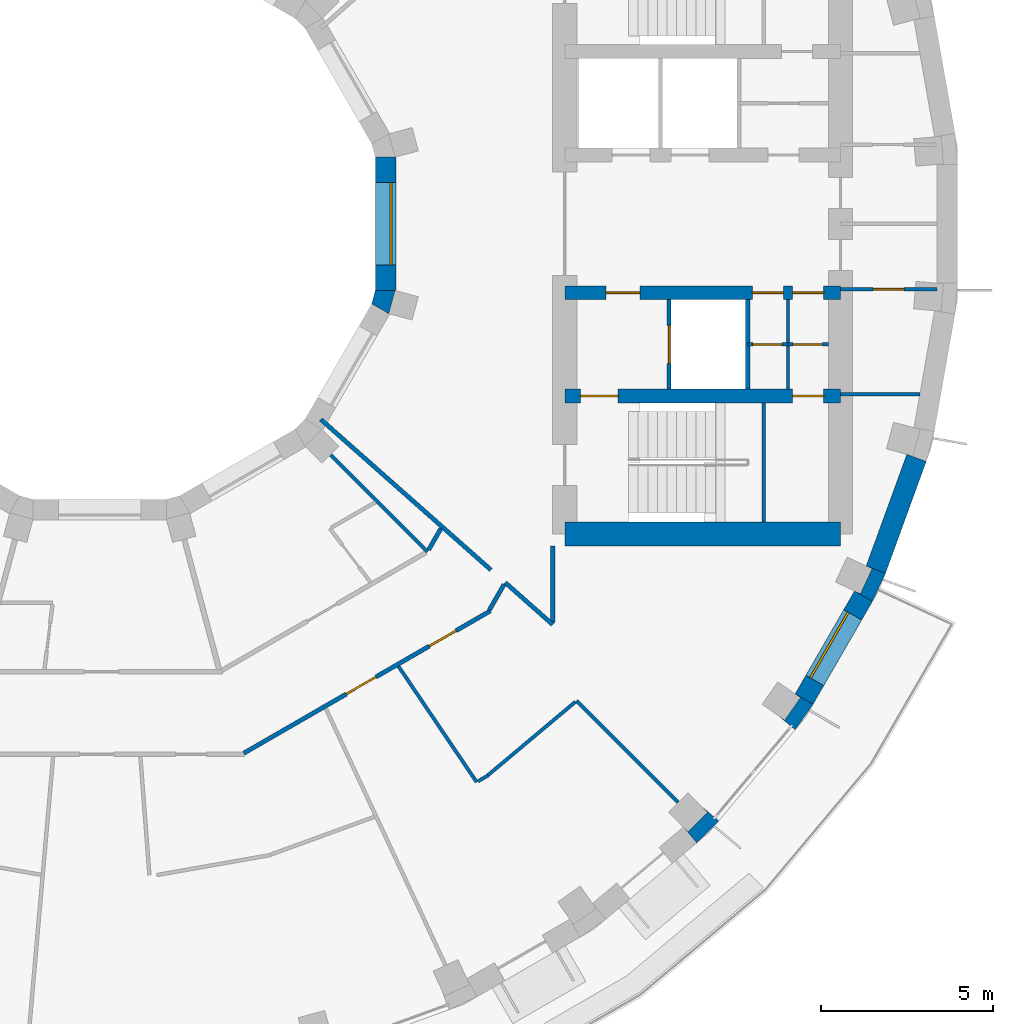
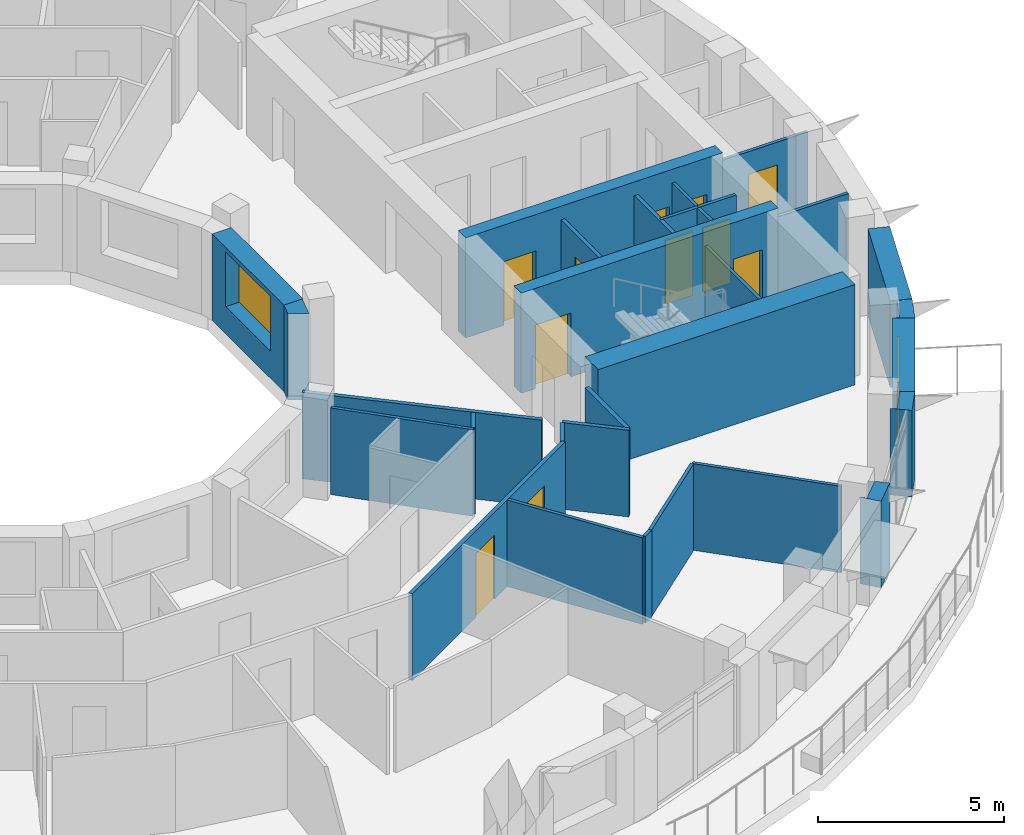
# One storey, part 9 of 15: 29 walls, 11 doors, 2 windows, 13 openings.
"""IFC4 building model written with IfcOpenShell, lengths in metres."""

from ifc_helpers import new_model, si_unit, direction, frame, frame_2d, origin, place, context, subcontext, project, spatial, polyline, rectangle, outline, extrude, material, layer, layer_set, type_object, element, fill, save


model = new_model("IFC4")

# Units and contexts
model_context = context("Model", 3, precision=1e-05, world=origin(), true_north=direction((0.0, 1.0)))
body_context = subcontext(model_context, "Body", "Model", "MODEL_VIEW")
ifc_project = project(units=[si_unit("LENGTHUNIT", "METRE"), si_unit("AREAUNIT", "SQUARE_METRE"), si_unit("VOLUMEUNIT", "CUBIC_METRE"), si_unit("PLANEANGLEUNIT", "RADIAN"), si_unit("MASSUNIT", "GRAM", prefix="KILO")], contexts=[model_context])

# Site, building, storey
site_placement = place(None, origin())
site = spatial("IfcSite", under=ifc_project, at=site_placement, CompositionType="ELEMENT")
building_placement = place(site_placement, origin())
building = spatial("IfcBuilding", under=site, at=building_placement, Name="Saqina Gate Tower", CompositionType="ELEMENT")
storey_placement = place(building_placement, frame((0.0, 0.0, 167.39990234375)))
storey = spatial("IfcBuildingStorey", under=building, at=storey_placement, Name="L47", CompositionType="ELEMENT", Elevation=167.39990234375)

# Walls
ifc_material_1 = material(Name="Brick masonry (buff)", Category="masonry")
wall_type_1 = type_object("IfcWallType", Name="BRICK PIER COPING BUFF", PredefinedType="SOLIDWALL", material=ifc_material_1)
wall_1_placement = place(storey_placement, origin())
element("IfcWall", 1, at=wall_1_placement, inside=storey, type_object=wall_type_1, Name="Pier cap L47 column 32", PredefinedType="SOLIDWALL", context=body_context, shape_type="SweptSolid", body=[
    extrude(outline(polyline([(17.969482421875, -17.329833984375), (17.510009765625, -16.944091796875), (17.642333984375, -17.07666015625), (17.07666015625, -17.642333984375), (16.944091796875, -17.510009765625), (17.329833984375, -17.969482421875), (17.969482421875, -17.329833984375)])), origin(), (0.0, 0.0, 1.0), 2.85009765625),
])
wall_2_placement = place(storey_placement, origin())
element("IfcWall", 2, at=wall_2_placement, inside=storey, type_object=wall_type_1, Name="Pier cap L47 column 33", PredefinedType="SOLIDWALL", context=body_context, shape_type="SweptSolid", body=[
    extrude(outline(polyline([(20.18701171875, -14.687255859375), (20.705810546875, -13.9462890625), (20.186279296875, -13.646240234375), (20.339599609375, -13.753662109375), (19.880859375, -14.408935546875), (19.727294921875, -14.301513671875), (20.18701171875, -14.687255859375)])), origin(), (0.0, 0.0, 1.0), 2.85009765625),
])
wall_3_placement = place(storey_placement, origin())
element("IfcWall", 3, at=wall_3_placement, inside=storey, type_object=wall_type_1, Name="Pier cap L47 column 34", PredefinedType="SOLIDWALL", context=body_context, shape_type="SweptSolid", body=[
    extrude(outline(polyline([(22.81298828125, -10.138916015625), (22.249267578125, -9.93359375), (22.4189453125, -10.0126953125), (22.080810546875, -10.73779296875), (21.9111328125, -10.65869140625), (22.4306640625, -10.958740234375), (22.81298828125, -10.138916015625)])), origin(), (0.0, 0.0, 1.0), 2.85009765625),
])
ifc_material_2 = material(Name="Gypsum board on steel studs", Category="steel")
ifc_layer_1 = layer(ifc_material_2, 0.10009765625)
ifc_layer_set_1 = layer_set([ifc_layer_1], Name="CORE PARTITION")
wall_type_2 = type_object("IfcWallType", Name="CORE PARTITION", PredefinedType="PARTITIONING", material=ifc_layer_set_1)
wall_4_placement = place(storey_placement, frame((21.5, -4.949951171875, 0.0), z_axis=(0.0, 0.0, 1.0), x_axis=(1.0, 0.0, 0.0)))
element("IfcWall", 4, at=wall_4_placement, inside=storey, type_object=wall_type_2, Name="L47-CP-E03", PredefinedType="PARTITIONING", context=body_context, shape_type="SweptSolid", body=[
    extrude(rectangle(XDim=2.306884765625, YDim=0.10009765625, at=frame_2d((1.1533203125, 0.0))), origin(), (0.0, 0.0, 1.0), 2.85009765625),
])

# Wall, opening, door
wall_5_placement = place(storey_placement, frame((21.5, -1.89990234375, 0.0), z_axis=(0.0, 0.0, 1.0), x_axis=(1.0, 0.0, 0.0)))
wall_5 = element("IfcWall", 5, at=wall_5_placement, inside=storey, type_object=wall_type_2, Name="L47-CP-E04", PredefinedType="PARTITIONING", context=body_context, shape_type="SweptSolid", body=[
    extrude(rectangle(XDim=2.804931640625, YDim=0.10009765625, at=frame_2d((1.40234375, 0.0))), origin(), (0.0, 0.0, 1.0), 2.85009765625),
])
opening_1_placement = place(wall_5_placement, frame((0.952392578125, 0.0, 0.0)))
opening_1 = element("IfcOpeningElement", 6, at=opening_1_placement, cuts=wall_5, Name="Opening G13-D97", PredefinedType="OPENING", context=body_context, shape_type="SweptSolid", body=[
    extrude(rectangle(XDim=0.89990234375, YDim=2.10009765625, at=frame_2d((0.449951171875, 1.050048828125))), frame((0.0, 0.06201171875, 0.0), z_axis=(0.0, -1.0, 0.0), x_axis=(1.0, 0.0, 0.0)), (0.0, 0.0, 1.0), 0.1240234375),
])
ifc_material_3 = material(Name="Steel-framed fire door leaf, EI 60", Category="steel")
door_type_1 = type_object("IfcDoorType", Name="SERVICE ROOM DOOR 900", OperationType="SINGLE_SWING_LEFT", PredefinedType="DOOR", material=ifc_material_3)
door_1_placement = place(opening_1_placement, frame((0.89990234375, 0.0, 0.0), z_axis=(0.0, 0.0, 1.0), x_axis=(-1.0, 0.0, 0.0)))
door_1 = element("IfcDoor", 7, at=door_1_placement, inside=storey, type_object=door_type_1, Name="L47-CD-E07", OperationType="SINGLE_SWING_RIGHT", OverallHeight=2.10009765625, OverallWidth=0.89990234375, PredefinedType="DOOR", context=body_context, shape_type="SweptSolid", body=[
    extrude(rectangle(XDim=0.89990234375, YDim=2.10009765625, at=frame_2d((0.449951171875, 1.050048828125))), frame((0.0, 0.02490234375, 0.0), z_axis=(0.0, -1.0, 0.0), x_axis=(1.0, 0.0, 0.0)), (0.0, 0.0, 1.0), 0.050048828125),
])
fill(opening_1, door_1)

# Wall
wall_6_placement = place(storey_placement, frame((19.97998046875, -4.800048828125, 0.0), z_axis=(0.0, 0.0, 1.0), x_axis=(0.0, 1.0, 0.0)))
element("IfcWall", 8, at=wall_6_placement, inside=storey, type_object=wall_type_2, Name="L47-CP-E10", PredefinedType="PARTITIONING", context=body_context, shape_type="SweptSolid", body=[
    extrude(rectangle(XDim=2.60009765625, YDim=0.10009765625, at=frame_2d((1.300048828125, 0.0))), origin(), (0.0, 0.0, 1.0), 2.85009765625),
])

# Wall, opening, door
wall_7_placement = place(storey_placement, frame((18.81005859375, -3.5, 0.0), z_axis=(0.0, 0.0, 1.0), x_axis=(1.0, 0.0, 0.0)))
wall_7 = element("IfcWall", 9, at=wall_7_placement, inside=storey, type_object=wall_type_2, Name="L47-CP-E12", PredefinedType="PARTITIONING", context=body_context, shape_type="SweptSolid", body=[
    extrude(rectangle(XDim=1.169921875, YDim=0.10009765625, at=frame_2d((0.5849609375, 0.0))), origin(), (0.0, 0.0, 1.0), 2.85009765625),
])
opening_2_placement = place(wall_7_placement, frame((0.14990234375, 0.0, 0.0)))
opening_2 = element("IfcOpeningElement", 10, at=opening_2_placement, cuts=wall_7, Name="Opening G13-D101", PredefinedType="OPENING", context=body_context, shape_type="SweptSolid", body=[
    extrude(rectangle(XDim=0.85009765625, YDim=2.10009765625, at=frame_2d((0.425048828125, 1.050048828125))), frame((0.0, 0.06201171875, 0.0), z_axis=(0.0, -1.0, 0.0), x_axis=(1.0, 0.0, 0.0)), (0.0, 0.0, 1.0), 0.1240234375),
])
ifc_material_4 = material(Name="Steel-framed fire door leaf, EI 60", Category="steel")
door_type_2 = type_object("IfcDoorType", Name="SERVICE ROOM DOOR 850", OperationType="SINGLE_SWING_LEFT", PredefinedType="DOOR", material=ifc_material_4)
door_2_placement = place(opening_2_placement, frame((0.85009765625, 0.0, 0.0), z_axis=(0.0, 0.0, 1.0), x_axis=(-1.0, 0.0, 0.0)))
door_2 = element("IfcDoor", 11, at=door_2_placement, inside=storey, type_object=door_type_2, Name="L47-CD-E11", OperationType="SINGLE_SWING_RIGHT", OverallHeight=2.10009765625, OverallWidth=0.85009765625, PredefinedType="DOOR", context=body_context, shape_type="SweptSolid", body=[
    extrude(rectangle(XDim=0.85009765625, YDim=2.10009765625, at=frame_2d((0.425048828125, 1.050048828125))), frame((0.0, 0.02490234375, 0.0), z_axis=(0.0, -1.0, 0.0), x_axis=(1.0, 0.0, 0.0)), (0.0, 0.0, 1.0), 0.050048828125),
])
fill(opening_2, door_2)

wall_8_placement = place(storey_placement, frame((19.97998046875, -3.5, 0.0), z_axis=(0.0, 0.0, 1.0), x_axis=(1.0, 0.0, 0.0)))
wall_8 = element("IfcWall", 12, at=wall_8_placement, inside=storey, type_object=wall_type_2, Name="L47-CP-E13", PredefinedType="PARTITIONING", context=body_context, shape_type="SweptSolid", body=[
    extrude(rectangle(XDim=1.169921875, YDim=0.10009765625, at=frame_2d((0.5849609375, 0.0))), origin(), (0.0, 0.0, 1.0), 2.85009765625),
])
opening_3_placement = place(wall_8_placement, frame((0.14990234375, 0.0, 0.0)))
opening_3 = element("IfcOpeningElement", 13, at=opening_3_placement, cuts=wall_8, Name="Opening G13-D102", PredefinedType="OPENING", context=body_context, shape_type="SweptSolid", body=[
    extrude(rectangle(XDim=0.85009765625, YDim=2.10009765625, at=frame_2d((0.425048828125, 1.050048828125))), frame((0.0, 0.06201171875, 0.0), z_axis=(0.0, -1.0, 0.0), x_axis=(1.0, 0.0, 0.0)), (0.0, 0.0, 1.0), 0.1240234375),
])
door_3_placement = place(opening_3_placement, frame((0.85009765625, 0.0, 0.0), z_axis=(0.0, 0.0, 1.0), x_axis=(-1.0, 0.0, 0.0)))
door_3 = element("IfcDoor", 14, at=door_3_placement, inside=storey, type_object=door_type_2, Name="L47-CD-E12", OperationType="SINGLE_SWING_LEFT", OverallHeight=2.10009765625, OverallWidth=0.85009765625, PredefinedType="DOOR", context=body_context, shape_type="SweptSolid", body=[
    extrude(rectangle(XDim=0.85009765625, YDim=2.10009765625, at=frame_2d((0.425048828125, 1.050048828125))), frame((0.0, 0.02490234375, 0.0), z_axis=(0.0, -1.0, 0.0), x_axis=(1.0, 0.0, 0.0)), (0.0, 0.0, 1.0), 0.050048828125),
])
fill(opening_3, door_3)

# Wall, opening, window
ifc_material_5 = material(Name="Brick masonry (buff)", Category="masonry")
ifc_layer_2 = layer(ifc_material_5, 0.60009765625)
ifc_layer_set_2 = layer_set([ifc_layer_2], Name="FW-BRICK-BUFF")
wall_type_3 = type_object("IfcWallType", Name="FW-BRICK-BUFF", PredefinedType="SOLIDWALL", material=ifc_layer_set_2)
wall_9_placement = place(storey_placement, frame((20.446044921875, -13.796142578125, 0.0), z_axis=(0.0, 0.0, 1.0), x_axis=(0.499998129301, 0.86602648383, 0.0)))
wall_9 = element("IfcWall", 15, at=wall_9_placement, inside=storey, type_object=wall_type_3, Name="Facade wall L47 facet 33", PredefinedType="SOLIDWALL", context=body_context, shape_type="SweptSolid", body=[
    extrude(rectangle(XDim=3.44970703125, YDim=0.60009765625, at=frame_2d((1.724853515625, 0.0))), origin(), (0.0, 0.0, 1.0), 2.85009765625),
])
opening_4_placement = place(wall_9_placement, frame((0.625, 0.0, 0.89990234375)))
opening_4 = element("IfcOpeningElement", 16, at=opening_4_placement, cuts=wall_9, Name="Opening G13-W22", PredefinedType="OPENING", context=body_context, shape_type="SweptSolid", body=[
    extrude(rectangle(XDim=2.199951171875, YDim=1.800048828125, at=frame_2d((1.10009765625, 0.89990234375))), frame((0.0, 0.31201171875, 0.0), z_axis=(0.0, -1.0, 0.0), x_axis=(1.0, 0.0, 0.0)), (0.0, 0.0, 1.0), 0.6240234375),
])
ifc_material_6 = material(Name="Aluminium glazing", Category="aluminium")
window_type_1 = type_object("IfcWindowType", Name="WN-C", PartitioningType="SINGLE_PANEL", PredefinedType="WINDOW", material=ifc_material_6)
window_1_placement = place(opening_4_placement, origin())
window_1 = element("IfcWindow", 17, at=window_1_placement, inside=storey, type_object=window_type_1, Name="Window L47 facet 33", OverallHeight=1.800048828125, OverallWidth=2.199951171875, PartitioningType="SINGLE_PANEL", PredefinedType="WINDOW", context=body_context, shape_type="SweptSolid", body=[
    extrude(rectangle(XDim=2.199951171875, YDim=1.800048828125, at=frame_2d((1.10009765625, 0.89990234375))), frame((0.0, 0.179931640625, 0.0), z_axis=(0.0, -1.0, 0.0), x_axis=(1.0, 0.0, 0.0)), (0.0, 0.0, 1.0), 0.06005859375),
])
fill(opening_4, window_1)

# Wall
ifc_material_7 = material(Name="Glazed ceramic tile", Category="ceramic")
ifc_layer_3 = layer(ifc_material_7, 0.60009765625)
ifc_layer_set_3 = layer_set([ifc_layer_3], Name="FW-TILE")
wall_type_4 = type_object("IfcWallType", Name="FW-TILE", PredefinedType="SOLIDWALL", material=ifc_layer_set_3)
wall_10_placement = place(storey_placement, frame((22.531005859375, -10.0361328125, 0.0), z_axis=(0.0, 0.0, 1.0), x_axis=(0.342032843455, 0.93968799822, 0.0)))
element("IfcWall", 18, at=wall_10_placement, inside=storey, type_object=wall_type_4, Name="Facade wall L47 facet 34", PredefinedType="SOLIDWALL", context=body_context, shape_type="SweptSolid", body=[
    extrude(rectangle(XDim=3.44970703125, YDim=0.60009765625, at=frame_2d((1.724853515625, 0.0))), origin(), (0.0, 0.0, 1.0), 2.85009765625),
])

# Wall, opening, window
ifc_material_8 = material(Name="Glazed ceramic tile", Category="ceramic")
ifc_layer_4 = layer(ifc_material_8, 0.60009765625)
ifc_layer_set_4 = layer_set([ifc_layer_4], Name="IW-TILE")
wall_type_5 = type_object("IfcWallType", Name="IW-TILE", PredefinedType="SOLIDWALL", material=ifc_layer_set_4)
wall_11_placement = place(storey_placement, frame((8.300048828125, -1.934814453125, 0.0), z_axis=(0.0, 0.0, 1.0), x_axis=(0.0, 1.0, 0.0)))
wall_11 = element("IfcWall", 19, at=wall_11_placement, inside=storey, type_object=wall_type_5, Name="Well wall L47 facet 12", PredefinedType="SOLIDWALL", context=body_context, shape_type="SweptSolid", body=[
    extrude(rectangle(XDim=3.86962890625, YDim=0.60009765625, at=frame_2d((1.934814453125, 0.0))), origin(), (0.0, 0.0, 1.0), 2.85009765625),
])
opening_5_placement = place(wall_11_placement, frame((0.73486328125, 0.0, 0.89990234375)))
opening_5 = element("IfcOpeningElement", 20, at=opening_5_placement, cuts=wall_11, Name="Opening G13-W34", PredefinedType="OPENING", context=body_context, shape_type="SweptSolid", body=[
    extrude(rectangle(XDim=2.39990234375, YDim=1.800048828125, at=frame_2d((1.199951171875, 0.89990234375))), frame((0.0, 0.31201171875, 0.0), z_axis=(0.0, -1.0, 0.0), x_axis=(1.0, 0.0, 0.0)), (0.0, 0.0, 1.0), 0.6240234375),
])
ifc_material_9 = material(Name="Aluminium glazing", Category="aluminium")
window_type_2 = type_object("IfcWindowType", Name="WN-W", PartitioningType="SINGLE_PANEL", PredefinedType="WINDOW", material=ifc_material_9)
window_2_placement = place(opening_5_placement, origin())
window_2 = element("IfcWindow", 21, at=window_2_placement, inside=storey, type_object=window_type_2, Name="Well window L47 facet 12", OverallHeight=1.800048828125, OverallWidth=2.39990234375, PartitioningType="SINGLE_PANEL", PredefinedType="WINDOW", context=body_context, shape_type="SweptSolid", body=[
    extrude(rectangle(XDim=2.39990234375, YDim=1.800048828125, at=frame_2d((1.199951171875, 0.89990234375))), frame((0.0, -0.119873046875, 0.0), z_axis=(0.0, -1.0, 0.0), x_axis=(1.0, 0.0, 0.0)), (0.0, 0.0, 1.0), 0.06005859375),
])
fill(opening_5, window_2)

# Walls
ifc_material_10 = material(Name="Gypsum board on steel studs, 100 mm", Category="steel")
ifc_layer_5 = layer(ifc_material_10, 0.10009765625)
ifc_layer_set_5 = layer_set([ifc_layer_5], Name="PARTITION 100")
wall_type_6 = type_object("IfcWallType", Name="PARTITION 100", PredefinedType="PARTITIONING", material=ifc_layer_set_5)
wall_12_placement = place(storey_placement, frame((8.674072265625, -12.8466796875, 0.0), z_axis=(0.0, 0.0, 1.0), x_axis=(0.559460436722, -0.828857056279, 0.0)))
element("IfcWall", 22, at=wall_12_placement, inside=storey, type_object=wall_type_6, Name="PARTITION PW3-12", PredefinedType="PARTITIONING", context=body_context, shape_type="SweptSolid", body=[
    extrude(rectangle(XDim=4.0517578125, YDim=0.10009765625, at=frame_2d((2.02587890625, 0.0))), origin(), (0.0, 0.0, 1.0), 2.85009765625),
])
wall_13_placement = place(storey_placement, frame((6.7119140625, -6.7119140625, 0.0), z_axis=(0.0, 0.0, 1.0), x_axis=(0.707106781187, -0.707106781187, 0.0)))
element("IfcWall", 23, at=wall_13_placement, inside=storey, type_object=wall_type_6, Name="PARTITION PW3-19", PredefinedType="PARTITIONING", context=body_context, shape_type="SweptSolid", body=[
    extrude(rectangle(XDim=3.967041015625, YDim=0.10009765625, at=frame_2d((1.9833984375, 0.0))), origin(), (0.0, 0.0, 1.0), 2.85009765625),
])
wall_14_placement = place(storey_placement, frame((13.844970703125, -13.844970703125, 0.0), z_axis=(0.0, 0.0, 1.0), x_axis=(0.707106781187, -0.707106781187, 0.0)))
element("IfcWall", 24, at=wall_14_placement, inside=storey, type_object=wall_type_6, Name="PARTITION PW3-20", PredefinedType="PARTITIONING", context=body_context, shape_type="SweptSolid", body=[
    extrude(rectangle(XDim=4.16015625, YDim=0.10009765625, at=frame_2d((2.080078125, 0.0))), origin(), (0.0, 0.0, 1.0), 2.85009765625),
])
wall_15_placement = place(storey_placement, frame((10.984375, -16.179931640625, 0.0), z_axis=(0.0, 0.0, 1.0), x_axis=(0.865942374699, 0.500143783026, 0.0)))
element("IfcWall", 25, at=wall_15_placement, inside=storey, type_object=wall_type_6, Name="PARTITION PW3-42", PredefinedType="PARTITIONING", context=body_context, shape_type="SweptSolid", body=[
    extrude(rectangle(XDim=0.33447265625, YDim=0.10009765625, at=frame_2d((0.167236328125, 0.0))), origin(), (0.0, 0.0, 1.0), 2.85009765625),
])
wall_16_placement = place(storey_placement, frame((11.2685546875, -16.00634765625, 0.0), z_axis=(0.0, 0.0, 1.0), x_axis=(0.766157600424, 0.642652729951, 0.0)))
element("IfcWall", 26, at=wall_16_placement, inside=storey, type_object=wall_type_6, Name="PARTITION PW3-49", PredefinedType="PARTITIONING", context=body_context, shape_type="SweptSolid", body=[
    extrude(rectangle(XDim=3.31298828125, YDim=0.10009765625, at=frame_2d((1.656494140625, 0.0))), origin(), (0.0, 0.0, 1.0), 2.85009765625),
])
ifc_material_11 = material(Name="Gypsum board on steel studs, 125 mm, fire rated", Category="steel")
ifc_layer_6 = layer(ifc_material_11, 0.125)
ifc_layer_set_6 = layer_set([ifc_layer_6], Name="PARTITION EI 30 125")
wall_type_7 = type_object("IfcWallType", Name="PARTITION EI 30 125", PredefinedType="PARTITIONING", material=ifc_layer_set_6)
wall_17_placement = place(storey_placement, frame((6.419921875, -5.679931640625, 0.0), z_axis=(0.0, 0.0, 1.0), x_axis=(0.748956953748, -0.662618654607, 0.0)))
element("IfcWall", 27, at=wall_17_placement, inside=storey, type_object=wall_type_7, Name="PARTITION PW1-08", PredefinedType="PARTITIONING", context=body_context, shape_type="SweptSolid", body=[
    extrude(rectangle(XDim=6.588623046875, YDim=0.125, at=frame_2d((3.29443359375, 0.0))), origin(), (0.0, 0.0, 1.0), 2.85009765625),
])
wall_18_placement = place(storey_placement, frame((11.77001953125, -10.4130859375, 0.0), z_axis=(0.0, 0.0, 1.0), x_axis=(0.748920683101, -0.662659649008, 0.0)))
element("IfcWall", 28, at=wall_18_placement, inside=storey, type_object=wall_type_7, Name="PARTITION PW1-09", PredefinedType="PARTITIONING", context=body_context, shape_type="SweptSolid", body=[
    extrude(rectangle(XDim=1.842529296875, YDim=0.125, at=frame_2d((0.92138671875, 0.0))), origin(), (0.0, 0.0, 1.0), 2.85009765625),
])

# Wall, openings, doors
wall_19_placement = place(storey_placement, frame((4.18017578125, -15.36865234375, 0.0), z_axis=(0.0, 0.0, 1.0), x_axis=(0.86608029966, 0.499904905498, 0.0)))
wall_19 = element("IfcWall", 29, at=wall_19_placement, inside=storey, type_object=wall_type_7, Name="PARTITION PW1-24", PredefinedType="PARTITIONING", context=body_context, shape_type="SweptSolid", body=[
    extrude(rectangle(XDim=8.2626953125, YDim=0.125, at=frame_2d((4.13134765625, 0.0))), origin(), (0.0, 0.0, 1.0), 2.85009765625),
])
opening_6_placement = place(wall_19_placement, frame((3.432373046875, 0.0, 0.0)))
opening_6 = element("IfcOpeningElement", 30, at=opening_6_placement, cuts=wall_19, Name="Opening G13-D37", PredefinedType="OPENING", context=body_context, shape_type="SweptSolid", body=[
    extrude(rectangle(XDim=1.0, YDim=2.10009765625, at=frame_2d((0.5, 1.050048828125))), frame((0.0, 0.074462890625, 0.0), z_axis=(0.0, -1.0, 0.0), x_axis=(1.0, 0.0, 0.0)), (0.0, 0.0, 1.0), 0.14892578125),
])
opening_7_placement = place(wall_19_placement, frame((6.218505859375, 0.0, 0.0)))
opening_7 = element("IfcOpeningElement", 31, at=opening_7_placement, cuts=wall_19, Name="Opening G13-D40", PredefinedType="OPENING", context=body_context, shape_type="SweptSolid", body=[
    extrude(rectangle(XDim=0.89990234375, YDim=2.10009765625, at=frame_2d((0.449951171875, 1.050048828125))), frame((0.0, 0.074462890625, 0.0), z_axis=(0.0, -1.0, 0.0), x_axis=(1.0, 0.0, 0.0)), (0.0, 0.0, 1.0), 0.14892578125),
])
ifc_material_12 = material(Name="Fire door leaf EI 30, 1000 mm")
door_type_3 = type_object("IfcDoorType", Name="DOOR 1000 EI 30", OperationType="SINGLE_SWING_LEFT", PredefinedType="DOOR", material=ifc_material_12)
door_4_placement = place(opening_6_placement, frame((1.0, 0.0, 0.0), z_axis=(0.0, 0.0, 1.0), x_axis=(-1.0, 0.0, 0.0)))
door_4 = element("IfcDoor", 32, at=door_4_placement, inside=storey, type_object=door_type_3, Name="DOOR G13-D37", OperationType="SINGLE_SWING_RIGHT", OverallHeight=2.10009765625, OverallWidth=1.0, PredefinedType="DOOR", context=body_context, shape_type="SweptSolid", body=[
    extrude(rectangle(XDim=1.0, YDim=2.10009765625, at=frame_2d((0.5, 1.050048828125))), frame((0.0, 0.02490234375, 0.0), z_axis=(0.0, -1.0, 0.0), x_axis=(1.0, 0.0, 0.0)), (0.0, 0.0, 1.0), 0.050048828125),
])
fill(opening_6, door_4)
ifc_material_13 = material(Name="Fire door leaf EI 30, 900 mm")
door_type_4 = type_object("IfcDoorType", Name="DOOR 900 EI 30", OperationType="SINGLE_SWING_LEFT", PredefinedType="DOOR", material=ifc_material_13)
door_5_placement = place(opening_7_placement, frame((0.89990234375, 0.0, 0.0), z_axis=(0.0, 0.0, 1.0), x_axis=(-1.0, 0.0, 0.0)))
door_5 = element("IfcDoor", 33, at=door_5_placement, inside=storey, type_object=door_type_4, Name="DOOR G13-D40", OperationType="SINGLE_SWING_LEFT", OverallHeight=2.10009765625, OverallWidth=0.89990234375, PredefinedType="DOOR", context=body_context, shape_type="SweptSolid", body=[
    extrude(rectangle(XDim=0.89990234375, YDim=2.10009765625, at=frame_2d((0.449951171875, 1.050048828125))), frame((0.0, 0.02490234375, 0.0), z_axis=(0.0, -1.0, 0.0), x_axis=(1.0, 0.0, 0.0)), (0.0, 0.0, 1.0), 0.050048828125),
])
fill(opening_7, door_5)

# Walls
wall_20_placement = place(storey_placement, frame((9.54833984375, -9.462890625, 0.0), z_axis=(0.0, 0.0, 1.0), x_axis=(0.499821239653, 0.866128586522, 0.0)))
element("IfcWall", 34, at=wall_20_placement, inside=storey, type_object=wall_type_7, Name="PARTITION PW1-34", PredefinedType="PARTITIONING", context=body_context, shape_type="SweptSolid", body=[
    extrude(rectangle(XDim=0.713134765625, YDim=0.125, at=frame_2d((0.3564453125, 0.0))), origin(), (0.0, 0.0, 1.0), 2.85009765625),
])
wall_21_placement = place(storey_placement, frame((11.30517578125, -11.219970703125, 0.0), z_axis=(0.0, 0.0, 1.0), x_axis=(0.499162724547, 0.86650826564, 0.0)))
element("IfcWall", 35, at=wall_21_placement, inside=storey, type_object=wall_type_7, Name="PARTITION PW1-37", PredefinedType="PARTITIONING", context=body_context, shape_type="SweptSolid", body=[
    extrude(rectangle(XDim=0.86865234375, YDim=0.125, at=frame_2d((0.434326171875, 0.0))), origin(), (0.0, 0.0, 1.0), 2.85009765625),
])
wall_22_placement = place(storey_placement, frame((13.14990234375, -11.571533203125, 0.0), z_axis=(0.0, 0.0, 1.0), x_axis=(0.0, 1.0, 0.0)))
element("IfcWall", 36, at=wall_22_placement, inside=storey, type_object=wall_type_7, Name="PARTITION PW1-38", PredefinedType="PARTITIONING", context=body_context, shape_type="SweptSolid", body=[
    extrude(rectangle(XDim=2.221435546875, YDim=0.125, at=frame_2d((1.11083984375, 0.0))), origin(), (0.0, 0.0, 1.0), 2.85009765625),
])

# Wall, opening, door
ifc_material_14 = material(Name="Autoclaved aerated concrete block", Category="concrete")
ifc_layer_7 = layer(ifc_material_14, 0.1201171875)
ifc_layer_set_7 = layer_set([ifc_layer_7], Name="SHAFT PARTITION")
wall_type_8 = type_object("IfcWallType", Name="SHAFT PARTITION", PredefinedType="PARTITIONING", material=ifc_layer_set_7)
wall_23_placement = place(storey_placement, frame((16.530029296875, -4.800048828125, 0.0), z_axis=(0.0, 0.0, 1.0), x_axis=(0.0, 1.0, 0.0)))
wall_23 = element("IfcWall", 37, at=wall_23_placement, inside=storey, type_object=wall_type_8, Name="L47-CP-E08", PredefinedType="PARTITIONING", context=body_context, shape_type="SweptSolid", body=[
    extrude(rectangle(XDim=2.60009765625, YDim=0.1201171875, at=frame_2d((1.300048828125, 0.0))), origin(), (0.0, 0.0, 1.0), 2.85009765625),
])
opening_8_placement = place(wall_23_placement, frame((0.75, 0.0, 0.0)))
opening_8 = element("IfcOpeningElement", 38, at=opening_8_placement, cuts=wall_23, Name="Opening G13-LD3", PredefinedType="OPENING", context=body_context, shape_type="SweptSolid", body=[
    extrude(rectangle(XDim=1.10009765625, YDim=2.10009765625, at=frame_2d((0.550048828125, 1.050048828125))), frame((0.0, 0.072021484375, 0.0), z_axis=(0.0, -1.0, 0.0), x_axis=(1.0, 0.0, 0.0)), (0.0, 0.0, 1.0), 0.14404296875),
])
ifc_material_15 = material(Name="Stainless steel", Category="steel")
door_type_5 = type_object("IfcDoorType", Name="LANDING DOOR", OperationType="DOUBLE_DOOR_SLIDING", PredefinedType="DOOR", material=ifc_material_15)
door_6_placement = place(opening_8_placement, origin())
door_6 = element("IfcDoor", 39, at=door_6_placement, inside=storey, type_object=door_type_5, Name="LANDING DOOR FF1", OperationType="DOUBLE_DOOR_SLIDING", OverallHeight=2.10009765625, OverallWidth=1.10009765625, PredefinedType="DOOR", context=body_context, shape_type="SweptSolid", body=[
    extrude(rectangle(XDim=1.10009765625, YDim=2.10009765625, at=frame_2d((0.550048828125, 1.050048828125))), frame((0.0, 0.02490234375, 0.0), z_axis=(0.0, -1.0, 0.0), x_axis=(1.0, 0.0, 0.0)), (0.0, 0.0, 1.0), 0.050048828125),
])
fill(opening_8, door_6)

# Walls
wall_24_placement = place(storey_placement, frame((18.81005859375, -4.800048828125, 0.0), z_axis=(0.0, 0.0, 1.0), x_axis=(0.0, 1.0, 0.0)))
element("IfcWall", 40, at=wall_24_placement, inside=storey, type_object=wall_type_8, Name="L47-CP-E09", PredefinedType="PARTITIONING", context=body_context, shape_type="SweptSolid", body=[
    extrude(rectangle(XDim=2.60009765625, YDim=0.1201171875, at=frame_2d((1.300048828125, 0.0))), origin(), (0.0, 0.0, 1.0), 2.85009765625),
])
ifc_material_16 = material(Name="Autoclaved aerated concrete block", Category="concrete")
ifc_layer_8 = layer(ifc_material_16, 0.10009765625)
ifc_layer_set_8 = layer_set([ifc_layer_8], Name="STAIR ENCLOSURE WALL")
wall_type_9 = type_object("IfcWallType", Name="STAIR ENCLOSURE WALL", PredefinedType="PARTITIONING", material=ifc_layer_set_8)
wall_25_placement = place(storey_placement, frame((19.27001953125, -8.64990234375, 0.0), z_axis=(0.0, 0.0, 1.0), x_axis=(0.0, 1.0, 0.0)))
element("IfcWall", 41, at=wall_25_placement, inside=storey, type_object=wall_type_9, Name="L47-CP-E15", PredefinedType="PARTITIONING", context=body_context, shape_type="SweptSolid", body=[
    extrude(rectangle(XDim=3.449951171875, YDim=0.10009765625, at=frame_2d((1.72509765625, 0.0))), origin(), (0.0, 0.0, 1.0), 2.85009765625),
])

# Wall, openings, doors
ifc_material_17 = material(Name="Concrete C60/75", Category="concrete")
ifc_layer_9 = layer(ifc_material_17, 0.39990234375)
ifc_layer_set_9 = layer_set([ifc_layer_9], Name="Concrete C60/75")
wall_type_10 = type_object("IfcWallType", Name="STR-CORE WALL-C-I", PredefinedType="SHEAR", material=ifc_layer_set_9)
wall_26_placement = place(storey_placement, frame((13.5, -5.0, 0.0), z_axis=(0.0, 0.0, 1.0), x_axis=(1.0, 0.0, 0.0)))
wall_26 = element("IfcWall", 42, at=wall_26_placement, inside=storey, type_object=wall_type_10, Name="CORE WALL L47 E-X2", PredefinedType="SHEAR", context=body_context, shape_type="SweptSolid", body=[
    extrude(rectangle(XDim=8.0, YDim=0.39990234375, at=frame_2d((4.0, 0.0))), origin(), (0.0, 0.0, 1.0), 3.300048828125),
])
opening_9_placement = place(wall_26_placement, frame((6.614990234375, 0.0, 0.0)))
opening_9 = element("IfcOpeningElement", 43, at=opening_9_placement, cuts=wall_26, Name="Opening G13-D127", PredefinedType="OPENING", context=body_context, shape_type="SweptSolid", body=[
    extrude(rectangle(XDim=0.89990234375, YDim=2.10009765625, at=frame_2d((0.449951171875, 1.050048828125))), frame((0.0, 0.2119140625, 0.0), z_axis=(0.0, -1.0, 0.0), x_axis=(1.0, 0.0, 0.0)), (0.0, 0.0, 1.0), 0.423828125),
])
opening_10_placement = place(wall_26_placement, frame((0.449951171875, 0.0, 0.0)))
opening_10 = element("IfcOpeningElement", 44, at=opening_10_placement, cuts=wall_26, Name="Opening G13-D103", PredefinedType="OPENING", context=body_context, shape_type="SweptSolid", body=[
    extrude(rectangle(XDim=1.10009765625, YDim=2.10009765625, at=frame_2d((0.550048828125, 1.050048828125))), frame((0.0, 0.2119140625, 0.0), z_axis=(0.0, -1.0, 0.0), x_axis=(1.0, 0.0, 0.0)), (0.0, 0.0, 1.0), 0.423828125),
])
ifc_material_18 = material(Name="Steel", Category="steel")
door_type_6 = type_object("IfcDoorType", Name="FIRE LOBBY DOOR EI 60 WIDE", OperationType="SINGLE_SWING_LEFT", PredefinedType="DOOR", material=ifc_material_18)
door_7_placement = place(opening_10_placement, frame((1.10009765625, 0.0, 0.0), z_axis=(0.0, 0.0, 1.0), x_axis=(-1.0, 0.0, 0.0)))
door_7 = element("IfcDoor", 45, at=door_7_placement, inside=storey, type_object=door_type_6, Name="L47-CD-E14", OperationType="SINGLE_SWING_RIGHT", OverallHeight=2.10009765625, OverallWidth=1.10009765625, PredefinedType="DOOR", context=body_context, shape_type="SweptSolid", body=[
    extrude(rectangle(XDim=1.10009765625, YDim=2.10009765625, at=frame_2d((0.550048828125, 1.050048828125))), frame((0.0, 0.02490234375, 0.0), z_axis=(0.0, -1.0, 0.0), x_axis=(1.0, 0.0, 0.0)), (0.0, 0.0, 1.0), 0.050048828125),
])
fill(opening_10, door_7)
door_8_placement = place(opening_9_placement, frame((0.89990234375, 0.0, 0.0), z_axis=(0.0, 0.0, 1.0), x_axis=(-1.0, 0.0, 0.0)))
door_8 = element("IfcDoor", 46, at=door_8_placement, inside=storey, type_object=door_type_1, Name="L47-CD-E13", OperationType="SINGLE_SWING_LEFT", OverallHeight=2.10009765625, OverallWidth=0.89990234375, PredefinedType="DOOR", context=body_context, shape_type="SweptSolid", body=[
    extrude(rectangle(XDim=0.89990234375, YDim=2.10009765625, at=frame_2d((0.449951171875, 1.050048828125))), frame((0.0, 0.02490234375, 0.0), z_axis=(0.0, -1.0, 0.0), x_axis=(1.0, 0.0, 0.0)), (0.0, 0.0, 1.0), 0.050048828125),
])
fill(opening_9, door_8)

wall_27_placement = place(storey_placement, frame((13.5, -2.0, 0.0), z_axis=(0.0, 0.0, 1.0), x_axis=(1.0, 0.0, 0.0)))
wall_27 = element("IfcWall", 47, at=wall_27_placement, inside=storey, type_object=wall_type_10, Name="CORE WALL L47 E-L2", PredefinedType="SHEAR", context=body_context, shape_type="SweptSolid", body=[
    extrude(rectangle(XDim=8.0, YDim=0.39990234375, at=frame_2d((4.0, 0.0))), origin(), (0.0, 0.0, 1.0), 3.300048828125),
])
opening_11_placement = place(wall_27_placement, frame((1.18994140625, 0.0, 0.0)))
opening_11 = element("IfcOpeningElement", 48, at=opening_11_placement, cuts=wall_27, Name="Opening G13-D92", PredefinedType="OPENING", context=body_context, shape_type="SweptSolid", body=[
    extrude(rectangle(XDim=1.0, YDim=2.10009765625, at=frame_2d((0.5, 1.050048828125))), frame((0.0, 0.2119140625, 0.0), z_axis=(0.0, -1.0, 0.0), x_axis=(1.0, 0.0, 0.0)), (0.0, 0.0, 1.0), 0.423828125),
])
opening_12_placement = place(wall_27_placement, frame((5.445068359375, 0.0, 0.0)))
opening_12 = element("IfcOpeningElement", 49, at=opening_12_placement, cuts=wall_27, Name="Opening G13-D93", PredefinedType="OPENING", context=body_context, shape_type="SweptSolid", body=[
    extrude(rectangle(XDim=0.89990234375, YDim=2.10009765625, at=frame_2d((0.449951171875, 1.050048828125))), frame((0.0, 0.2119140625, 0.0), z_axis=(0.0, -1.0, 0.0), x_axis=(1.0, 0.0, 0.0)), (0.0, 0.0, 1.0), 0.423828125),
])
opening_13_placement = place(wall_27_placement, frame((6.614990234375, 0.0, 0.0)))
opening_13 = element("IfcOpeningElement", 50, at=opening_13_placement, cuts=wall_27, Name="Opening G13-D94", PredefinedType="OPENING", context=body_context, shape_type="SweptSolid", body=[
    extrude(rectangle(XDim=0.89990234375, YDim=2.10009765625, at=frame_2d((0.449951171875, 1.050048828125))), frame((0.0, 0.2119140625, 0.0), z_axis=(0.0, -1.0, 0.0), x_axis=(1.0, 0.0, 0.0)), (0.0, 0.0, 1.0), 0.423828125),
])
ifc_material_19 = material(Name="Steel", Category="steel")
door_type_7 = type_object("IfcDoorType", Name="FIRE LOBBY DOOR EI 60", OperationType="SINGLE_SWING_LEFT", PredefinedType="DOOR", material=ifc_material_19)
door_9_placement = place(opening_11_placement, origin())
door_9 = element("IfcDoor", 51, at=door_9_placement, inside=storey, type_object=door_type_7, Name="L47-CD-E02", OperationType="SINGLE_SWING_LEFT", OverallHeight=2.10009765625, OverallWidth=1.0, PredefinedType="DOOR", context=body_context, shape_type="SweptSolid", body=[
    extrude(rectangle(XDim=1.0, YDim=2.10009765625, at=frame_2d((0.5, 1.050048828125))), frame((0.0, 0.02490234375, 0.0), z_axis=(0.0, -1.0, 0.0), x_axis=(1.0, 0.0, 0.0)), (0.0, 0.0, 1.0), 0.050048828125),
])
fill(opening_11, door_9)
door_10_placement = place(opening_12_placement, frame((0.89990234375, 0.0, 0.0), z_axis=(0.0, 0.0, 1.0), x_axis=(-1.0, 0.0, 0.0)))
door_10 = element("IfcDoor", 52, at=door_10_placement, inside=storey, type_object=door_type_1, Name="L47-CD-E03", OperationType="SINGLE_SWING_RIGHT", OverallHeight=2.10009765625, OverallWidth=0.89990234375, PredefinedType="DOOR", context=body_context, shape_type="SweptSolid", body=[
    extrude(rectangle(XDim=0.89990234375, YDim=2.10009765625, at=frame_2d((0.449951171875, 1.050048828125))), frame((0.0, 0.02490234375, 0.0), z_axis=(0.0, -1.0, 0.0), x_axis=(1.0, 0.0, 0.0)), (0.0, 0.0, 1.0), 0.050048828125),
])
fill(opening_12, door_10)
door_11_placement = place(opening_13_placement, frame((0.89990234375, 0.0, 0.0), z_axis=(0.0, 0.0, 1.0), x_axis=(-1.0, 0.0, 0.0)))
door_11 = element("IfcDoor", 53, at=door_11_placement, inside=storey, type_object=door_type_1, Name="L47-CD-E04", OperationType="SINGLE_SWING_LEFT", OverallHeight=2.10009765625, OverallWidth=0.89990234375, PredefinedType="DOOR", context=body_context, shape_type="SweptSolid", body=[
    extrude(rectangle(XDim=0.89990234375, YDim=2.10009765625, at=frame_2d((0.449951171875, 1.050048828125))), frame((0.0, 0.02490234375, 0.0), z_axis=(0.0, -1.0, 0.0), x_axis=(1.0, 0.0, 0.0)), (0.0, 0.0, 1.0), 0.050048828125),
])
fill(opening_13, door_11)

# Walls
ifc_material_20 = material(Name="Concrete C60/75", Category="concrete")
ifc_layer_10 = layer(ifc_material_20, 0.699951171875)
ifc_layer_set_10 = layer_set([ifc_layer_10], Name="Concrete C60/75")
wall_type_11 = type_object("IfcWallType", Name="STR-CORE WALL-C-O", PredefinedType="SHEAR", material=ifc_layer_set_10)
wall_28_placement = place(storey_placement, frame((13.5, -9.0, 0.0), z_axis=(0.0, 0.0, 1.0), x_axis=(1.0, 0.0, 0.0)))
element("IfcWall", 54, at=wall_28_placement, inside=storey, type_object=wall_type_11, Name="CORE WALL L47 E-SE", PredefinedType="SHEAR", context=body_context, shape_type="SweptSolid", body=[
    extrude(rectangle(XDim=8.0, YDim=0.699951171875, at=frame_2d((4.0, 0.0))), origin(), (0.0, 0.0, 1.0), 3.300048828125),
])
ifc_material_21 = material(Name="Glazed ceramic tile", Category="ceramic")
wall_type_12 = type_object("IfcWallType", Name="TILE PIER COPING", PredefinedType="SOLIDWALL", material=ifc_material_21)
wall_29_placement = place(storey_placement, origin())
element("IfcWall", 55, at=wall_29_placement, inside=storey, type_object=wall_type_12, Name="Well pier cap L47 column 12", PredefinedType="SOLIDWALL", context=body_context, shape_type="SweptSolid", body=[
    extrude(outline(polyline([(8.573486328125, -1.934814453125), (8.0, -1.934814453125), (7.895751953125, -2.32421875), (8.392333984375, -2.611083984375), (8.573486328125, -1.934814453125)])), origin(), (0.0, 0.0, 1.0), 2.85009765625),
])

save(model, "model.ifc")
